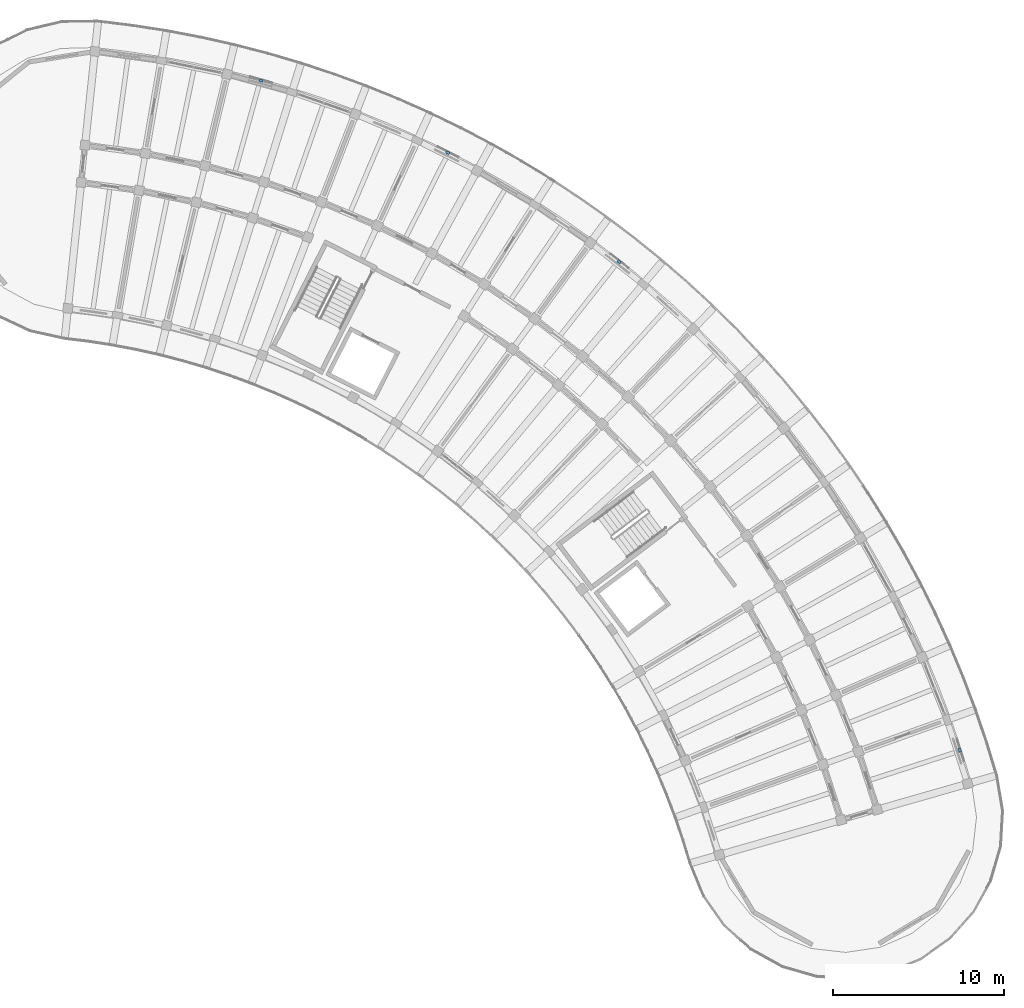
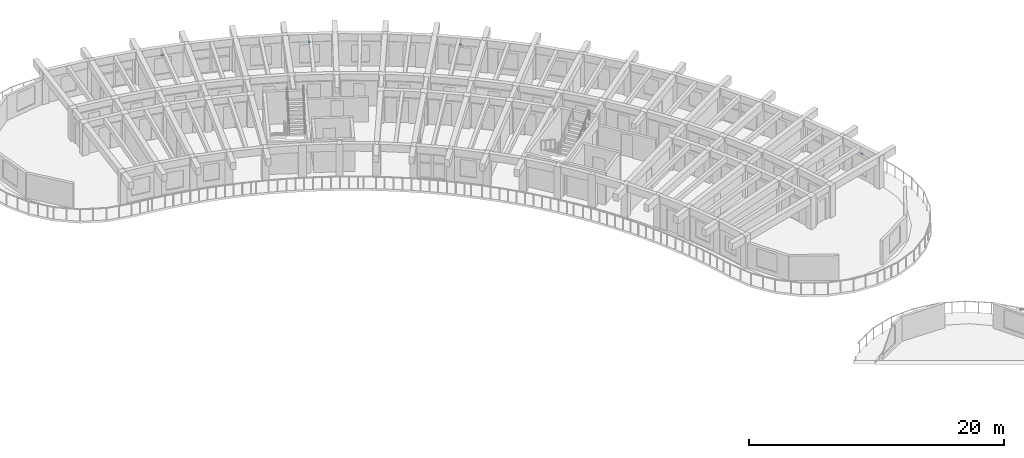
# One storey, part 78 of 96: 4 discrete accessories.
"""IFC4 building model written with IfcOpenShell, lengths in metres."""

from ifc_helpers import new_model, si_unit, direction, frame, origin, origin_2d, place, context, subcontext, project, spatial, rectangle, extrude, material, type_object, element, save


model = new_model("IFC4")

# Units and contexts
model_context = context("Model", 3, precision=1e-05, world=origin(), true_north=direction((0.0, 1.0)))
body_context = subcontext(model_context, "Body", "Model", "MODEL_VIEW")
ifc_project = project(units=[si_unit("LENGTHUNIT", "METRE"), si_unit("AREAUNIT", "SQUARE_METRE"), si_unit("VOLUMEUNIT", "CUBIC_METRE"), si_unit("PLANEANGLEUNIT", "RADIAN"), si_unit("MASSUNIT", "GRAM", prefix="KILO")], contexts=[model_context])

# Site, building, storey
site_placement = place(None, origin())
site = spatial("IfcSite", under=ifc_project, at=site_placement, CompositionType="ELEMENT")
building_placement = place(site_placement, origin())
building = spatial("IfcBuilding", under=site, at=building_placement, Name="Tanwirah Colonnade Gardens", CompositionType="ELEMENT")
storey_placement = place(building_placement, frame((0.0, 0.0, 12.199951171875)))
storey = spatial("IfcBuildingStorey", under=building, at=storey_placement, Name="L03", CompositionType="ELEMENT", Elevation=12.199951171875)

# Discrete accessories
ifc_material = material(Name="Steel S355", Category="steel")
discrete_accessory_type = type_object("IfcDiscreteAccessoryType", Name="BRK-SS1", PredefinedType="BRACKET", material=ifc_material)
for number, where, z_axis, x_axis, name in (
    (1, (177.788818359375, 78.57470703125, 2.10009765625), (0.0, 0.0, 1.0), (-0.307171739363, 0.951654098156, 0.0), "Solar screen support bracket B-L03-00"),
    (2, (157.8720703125, 107.136962890625, 2.18505859375), (0.0, 0.0, 1.0), (-0.786816013383, 0.617187622271, 0.0), "Solar screen support bracket B-L03-09"),
    (3, (147.853271484375, 113.505859375, 2.10009765625), (0.0, 0.0, 1.0), (-0.892759988233, 0.450532577524, 0.0), "Solar screen support bracket B-L03-12"),
    (4, (136.93603515625, 117.720947265625, 2.110107421875), (0.0, 0.0, 1.0), (-0.963888748144, 0.266305240659, 0.0), "Solar screen support bracket B-L03-15"),
):
    element("IfcDiscreteAccessory", number, at=place(storey_placement, frame(where, z_axis=z_axis, x_axis=x_axis)), inside=storey, type_object=discrete_accessory_type, Name=name, PredefinedType="BRACKET", context=body_context, shape_type="SweptSolid", body=[
        extrude(rectangle(XDim=0.219970703125, YDim=0.159912109375, at=origin_2d()), origin(), (0.0, 0.0, 1.0), 0.1201171875),
    ])

save(model, "model.ifc")
